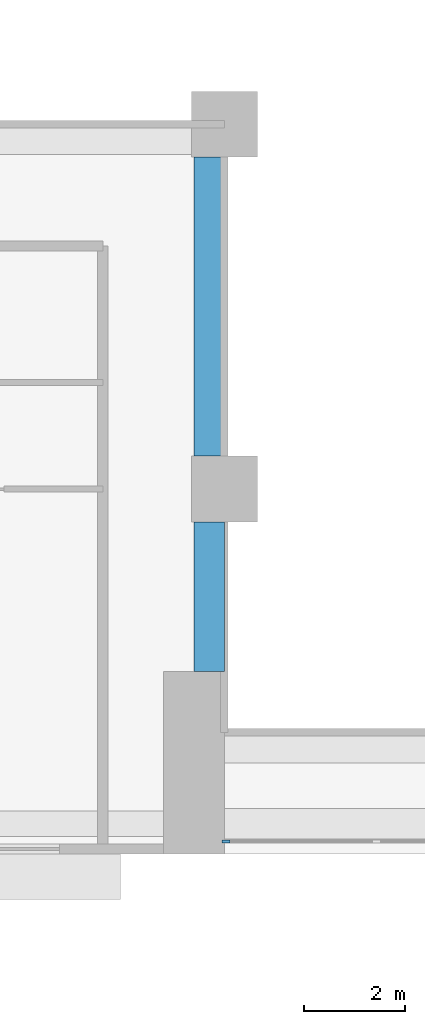
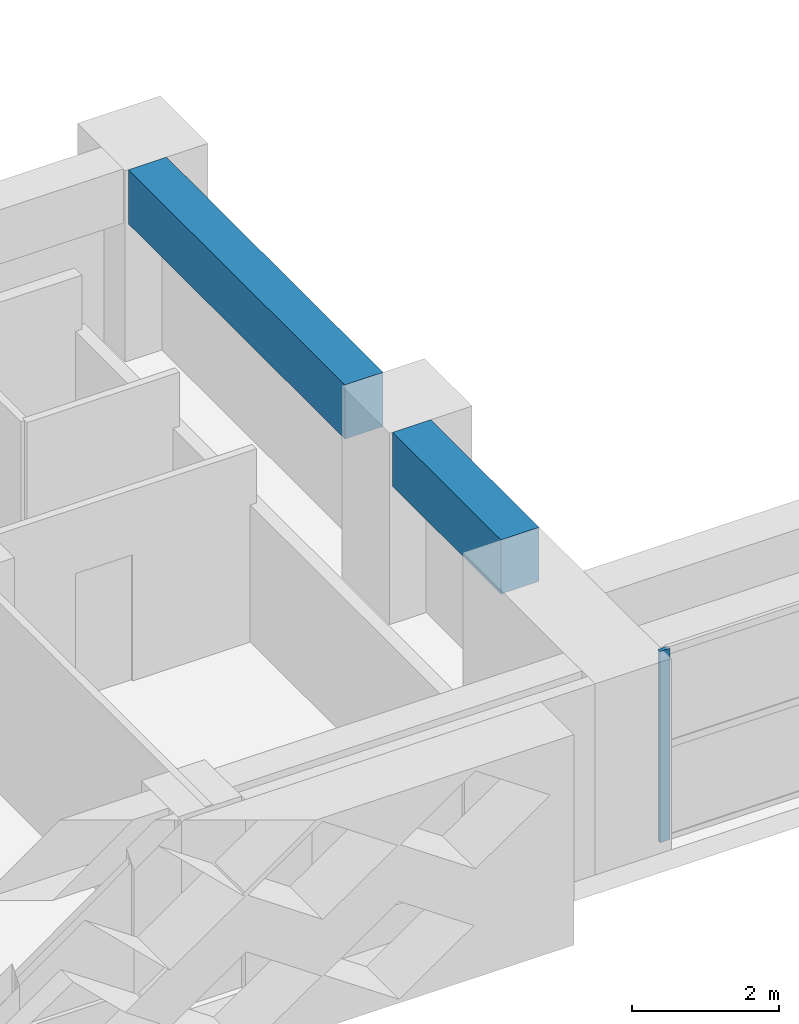
# One storey, part 2 of 16: 2 beams, 1 member, 1 element without a shape of its own.
"""IFC4 building model written with IfcOpenShell, lengths in metres."""

from ifc_helpers import new_model, si_unit, direction, frame, origin, origin_2d, place, context, subcontext, project, spatial, rectangle, extrude, source, transform, mapped, material, layer, layer_set, material_profile, profile_set, type_object, element, aggregate, save


model = new_model("IFC4")

# Units and contexts
model_context = context("Model", 3, precision=1e-05, world=origin(), true_north=direction((0.0, 1.0)))
body_context = subcontext(model_context, "Body", "Model", "MODEL_VIEW")
ifc_project = project(units=[si_unit("LENGTHUNIT", "METRE"), si_unit("AREAUNIT", "SQUARE_METRE"), si_unit("VOLUMEUNIT", "CUBIC_METRE"), si_unit("PLANEANGLEUNIT", "RADIAN"), si_unit("MASSUNIT", "GRAM", prefix="KILO")], contexts=[model_context])

# Site, building, storey
site_placement = place(None, origin())
site = spatial("IfcSite", under=ifc_project, at=site_placement, CompositionType="ELEMENT")
building_placement = place(site_placement, origin())
building = spatial("IfcBuilding", under=site, at=building_placement, Name="Saffron Iwan Residences", CompositionType="ELEMENT")
storey_placement = place(building_placement, frame((0.0, 0.0, 90.0)))
storey = spatial("IfcBuildingStorey", under=building, at=storey_placement, Name="L23", CompositionType="ELEMENT", Elevation=90.0)

# Beams
ifc_material_1 = material(Name="Concrete C60/75", Category="concrete")
ifc_material_profile_1 = material_profile(ifc_material_1, rectangle(XDim=0.60009765625, YDim=0.89990234375, at=origin_2d()), Name="RC 600x900")
ifc_profile_set_1 = profile_set([ifc_material_profile_1], Name="Concrete C60/75")
beam_type = type_object("IfcBeamType", Name="BEAM RC 600x900 C60/75 TOP 3180", PredefinedType="BEAM", material=ifc_profile_set_1)
shared_shape_1 = source(origin(), body_context, "Body", "SweptSolid", [
    extrude(rectangle(XDim=0.60009765625, YDim=0.89990234375, at=origin_2d()), origin(), (0.0, 0.0, 1.0), 2.949951171875),
])
beam_1_placement = place(storey_placement, frame((42.89990234375, 37.199951171875, 2.72998046875), z_axis=(0.0, 1.0, 0.0), x_axis=(-1.0, 0.0, 0.0)))
element("IfcBeam", 1, at=beam_1_placement, inside=storey, type_object=beam_type, Name="Atrium edge beam", PredefinedType="BEAM", context=body_context, shape_type="MappedRepresentation", body=[
    mapped(shared_shape_1, transform((0.0, 0.0, 0.0))),
])
shared_shape_2 = source(origin(), body_context, "Body", "SweptSolid", [
    extrude(rectangle(XDim=0.60009765625, YDim=0.89990234375, at=origin_2d()), origin(), (0.0, 0.0, 1.0), 5.900146484375),
])
beam_2_placement = place(storey_placement, frame((42.89990234375, 41.449951171875, 2.72998046875), z_axis=(0.0, 1.0, 0.0), x_axis=(-1.0, 0.0, 0.0)))
element("IfcBeam", 2, at=beam_2_placement, inside=storey, type_object=beam_type, Name="Atrium edge beam", PredefinedType="BEAM", context=body_context, shape_type="MappedRepresentation", body=[
    mapped(shared_shape_2, transform((0.0, 0.0, 0.0))),
])

# Curtain wall, member
ifc_material_2 = material(Name="Clear glass, laminated double glazed", Category="glass")
ifc_layer = layer(ifc_material_2, 0.199951171875)
ifc_layer_set = layer_set([ifc_layer], Name="Clear glass, laminated double glazed")
curtain_wall_type = type_object("IfcCurtainWallType", Name="CW-B IWAN PORTAL", PredefinedType="NOTDEFINED", material=ifc_layer_set)
curtain_wall_placement = place(storey_placement, origin())
curtain_wall = element("IfcCurtainWall", 3, at=curtain_wall_placement, inside=storey, type_object=curtain_wall_type, Name="Iwan portal glazing L23.1", PredefinedType="NOTDEFINED")
ifc_material_3 = material(Name="Aluminium 6063-T6", Category="aluminium")
ifc_material_profile_2 = material_profile(ifc_material_3, rectangle(XDim=0.06005859375, YDim=0.159912109375, at=origin_2d()), Name="CW-B MULLION 60 x 160")
ifc_profile_set_2 = profile_set([ifc_material_profile_2], Name="Aluminium 6063-T6")
member_type = type_object("IfcMemberType", Name="CW-B MULLION 60 x 160", PredefinedType="MULLION", material=ifc_profile_set_2)
shared_shape_3 = source(origin(), body_context, "Body", "SweptSolid", [
    extrude(rectangle(XDim=0.06005859375, YDim=0.159912109375, at=origin_2d()), origin(), (0.0, 0.0, 1.0), 3.179931640625),
])
member_placement = place(storey_placement, frame((43.22998046875, 33.85009765625, 0.0), z_axis=(0.0, 0.0, 1.0), x_axis=(0.0, 1.0, 0.0)))
member = element("IfcMember", 4, at=member_placement, type_object=member_type, Name="CW-B mullion 1", PredefinedType="MULLION", context=body_context, shape_type="MappedRepresentation", body=[
    mapped(shared_shape_3, transform((0.0, 0.0, 0.0))),
])
aggregate(curtain_wall, [member])

save(model, "model.ifc")
